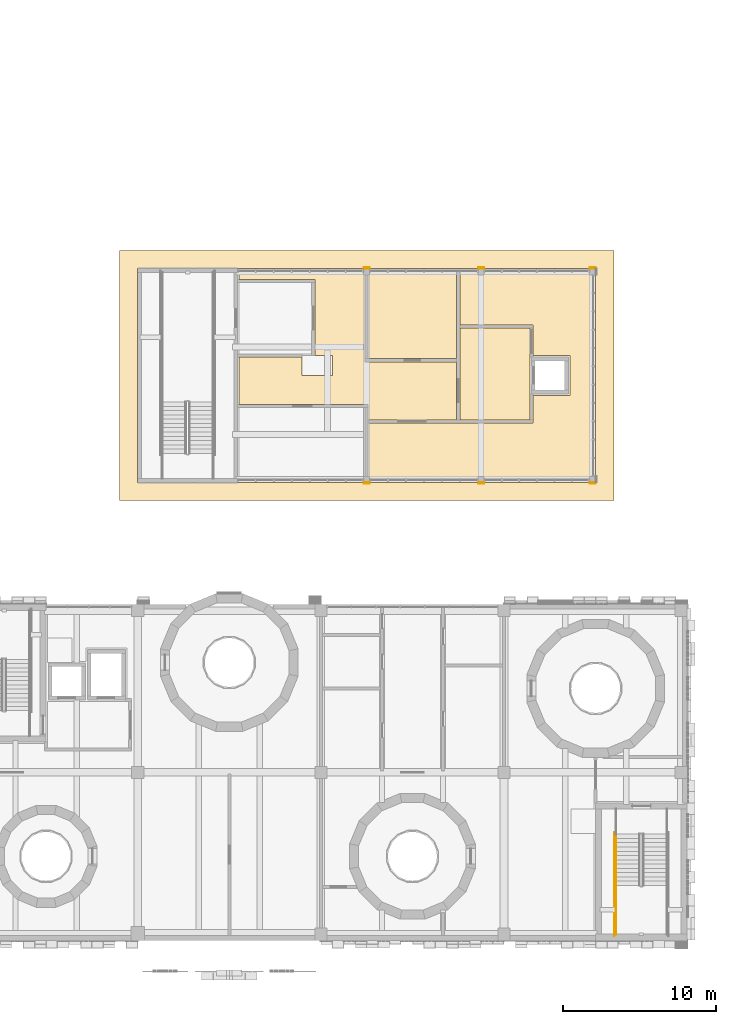
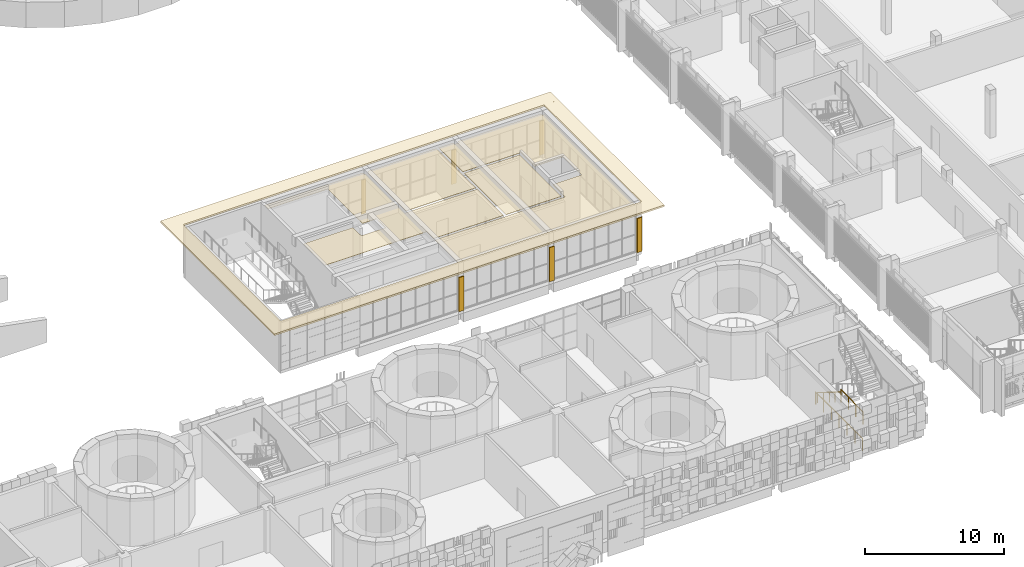
# One storey, part 72 of 92: 7 coverings, 3 railings.
"""IFC4 building model written with IfcOpenShell, lengths in metres."""

from ifc_helpers import new_model, si_unit, direction, frame, origin, origin_2d, place, context, subcontext, project, spatial, polyline, rectangle, circle, outline, extrude, material, layer, layer_set, type_object, element, save


model = new_model("IFC4")

# Units and contexts
model_context = context("Model", 3, precision=1e-05, world=origin(), true_north=direction((0.0, 1.0)))
body_context = subcontext(model_context, "Body", "Model", "MODEL_VIEW")
ifc_project = project(units=[si_unit("LENGTHUNIT", "METRE"), si_unit("AREAUNIT", "SQUARE_METRE"), si_unit("VOLUMEUNIT", "CUBIC_METRE"), si_unit("PLANEANGLEUNIT", "RADIAN"), si_unit("MASSUNIT", "GRAM", prefix="KILO")], contexts=[model_context])

# Site, building, storey
site_placement = place(None, origin())
site = spatial("IfcSite", under=ifc_project, at=site_placement, CompositionType="ELEMENT")
building_placement = place(site_placement, origin())
building = spatial("IfcBuilding", under=site, at=building_placement, Name="Sun Court Science Centre", CompositionType="ELEMENT")
storey_placement = place(building_placement, frame((0.0, 0.0, 11.25)))
storey = spatial("IfcBuildingStorey", under=building, at=storey_placement, Name="L02", CompositionType="ELEMENT", Elevation=11.25)

# Coverings
ifc_material_1 = material(Name="Gypsum board")
ifc_layer_1 = layer(ifc_material_1, 0.030029296875)
ifc_layer_set_1 = layer_set([ifc_layer_1], Name="Gypsum board")
covering_type_1 = type_object("IfcCoveringType", Name="Ceiling suspended 600 module", PredefinedType="CEILING", material=ifc_layer_set_1)
covering_1_placement = place(storey_placement, frame((0.0, 0.0, 3.77001953125)))
element("IfcCovering", 1, at=covering_1_placement, inside=storey, type_object=covering_type_1, Name="L02-074 ceiling", PredefinedType="CEILING", context=body_context, shape_type="SweptSolid", body=[
    extrude(outline(polyline([(46.75, 43.0), (48.75, 43.0), (48.75, 44.300048828125), (47.60009765625, 44.300048828125), (47.60009765625, 49.300048828125), (42.64990234375, 49.300048828125), (42.64990234375, 49.800048828125), (50.800048828125, 49.800048828125), (50.800048828125, 49.60009765625), (50.89990234375, 49.60009765625), (50.89990234375, 43.89990234375), (56.89990234375, 43.89990234375), (56.89990234375, 40.10009765625), (51.10009765625, 40.10009765625), (51.10009765625, 41.10009765625), (42.64990234375, 41.10009765625), (42.64990234375, 44.199951171875), (46.75, 44.199951171875), (46.75, 43.0)])), origin(), (0.0, 0.0, 1.0), 0.030029296875),
])
covering_2_placement = place(storey_placement, frame((0.0, 0.0, 3.77001953125)))
element("IfcCovering", 2, at=covering_2_placement, inside=storey, type_object=covering_type_1, Name="L02-075 ceiling", PredefinedType="CEILING", context=body_context, shape_type="SweptSolid", body=[
    extrude(outline(polyline([(56.89990234375, 49.800048828125), (56.89990234375, 44.10009765625), (51.10009765625, 44.10009765625), (51.10009765625, 49.60009765625), (51.199951171875, 49.60009765625), (51.199951171875, 49.800048828125), (56.89990234375, 49.800048828125)])), origin(), (0.0, 0.0, 1.0), 0.030029296875),
])
covering_3_placement = place(storey_placement, frame((0.0, 0.0, 3.77001953125)))
element("IfcCovering", 3, at=covering_3_placement, inside=storey, type_object=covering_type_1, Name="L02-076 ceiling", PredefinedType="CEILING", context=body_context, shape_type="SweptSolid", body=[
    extrude(outline(polyline([(57.10009765625, 40.10009765625), (57.10009765625, 46.10009765625), (61.68994140625, 46.10009765625), (61.68994140625, 44.3125), (61.6875, 44.3125), (61.6875, 41.6875), (61.68994140625, 41.6875), (61.68994140625, 40.10009765625), (57.10009765625, 40.10009765625)])), origin(), (0.0, 0.0, 1.0), 0.030029296875),
])
covering_4_placement = place(storey_placement, frame((0.0, 0.0, 3.77001953125)))
element("IfcCovering", 4, at=covering_4_placement, inside=storey, type_object=covering_type_1, Name="L02-077 ceiling", PredefinedType="CEILING", context=body_context, shape_type="SweptSolid", body=[
    extrude(outline(polyline([(51.10009765625, 36.39990234375), (51.10009765625, 39.89990234375), (61.889892578125, 39.89990234375), (61.889892578125, 41.6875), (64.3125, 41.6875), (64.3125, 44.3125), (61.889892578125, 44.3125), (61.889892578125, 46.300048828125), (57.10009765625, 46.300048828125), (57.10009765625, 49.800048828125), (58.300048828125, 49.800048828125), (58.300048828125, 49.60009765625), (58.699951171875, 49.60009765625), (58.699951171875, 49.800048828125), (65.60009765625, 49.800048828125), (65.60009765625, 49.60009765625), (65.800048828125, 49.60009765625), (65.800048828125, 36.39990234375), (65.60009765625, 36.39990234375), (65.60009765625, 36.199951171875), (58.699951171875, 36.199951171875), (58.699951171875, 36.39990234375), (58.300048828125, 36.39990234375), (58.300048828125, 36.199951171875), (51.199951171875, 36.199951171875), (51.199951171875, 36.39990234375), (51.10009765625, 36.39990234375)])), origin(), (0.0, 0.0, 1.0), 0.030029296875),
])

# Railings
ifc_material_2 = material(Name="Steel S275", Category="steel")
railing_type_1 = type_object("IfcRailingType", Name="Guard 1100 steel balustrade", PredefinedType="GUARDRAIL", material=ifc_material_2)
railing_1_placement = place(storey_placement, frame((67.326904296875, 9.592041015625, 2.25)))
element("IfcRailing", 5, at=railing_1_placement, inside=storey, type_object=railing_type_1, Name="L02 SB3 stair guard 3", PredefinedType="GUARDRAIL", context=body_context, shape_type="SweptSolid", body=[
    extrude(circle(Radius=0.02392578125, at=origin_2d()), frame((0.0, 0.0, 1.076171875), z_axis=(0.0, -1.0, 0.0), x_axis=(1.0, 0.0, 0.0)), (0.0, 0.0, 1.0), 3.192138671875),
    extrude(circle(Radius=0.02099609375, at=origin_2d()), origin(), (0.0, 0.0, 1.0), 1.052001953125),
    extrude(circle(Radius=0.02099609375, at=origin_2d()), frame((0.0, -1.06396484375, 0.0)), (0.0, 0.0, 1.0), 1.052001953125),
    extrude(circle(Radius=0.02099609375, at=origin_2d()), frame((0.0, -2.128173828125, 0.0)), (0.0, 0.0, 1.0), 1.052001953125),
    extrude(circle(Radius=0.02099609375, at=origin_2d()), frame((0.0, -3.192138671875, 0.0)), (0.0, 0.0, 1.0), 1.052001953125),
])
railing_2_placement = place(storey_placement, frame((67.22705078125, 13.052001953125, 0.0)))
element("IfcRailing", 6, at=railing_2_placement, inside=storey, type_object=railing_type_1, Name="L02 SB3 stair guard 9", PredefinedType="GUARDRAIL", context=body_context, shape_type="SweptSolid", body=[
    extrude(circle(Radius=0.02392578125, at=origin_2d()), frame((0.0, 0.0, 1.076171875), z_axis=(0.0, -1.0, 0.0), x_axis=(1.0, 0.0, 0.0)), (0.0, 0.0, 1.0), 6.751953125),
    extrude(circle(Radius=0.02099609375, at=origin_2d()), origin(), (0.0, 0.0, 1.0), 1.052001953125),
    extrude(circle(Radius=0.02099609375, at=origin_2d()), frame((0.0, -1.125244140625, 0.0)), (0.0, 0.0, 1.0), 1.052001953125),
    extrude(circle(Radius=0.02099609375, at=origin_2d()), frame((0.0, -2.250732421875, 0.0)), (0.0, 0.0, 1.0), 1.052001953125),
    extrude(circle(Radius=0.02099609375, at=origin_2d()), frame((0.0, -3.3759765625, 0.0)), (0.0, 0.0, 1.0), 1.052001953125),
    extrude(circle(Radius=0.02099609375, at=origin_2d()), frame((0.0, -4.501220703125, 0.0)), (0.0, 0.0, 1.0), 1.052001953125),
    extrude(circle(Radius=0.02099609375, at=origin_2d()), frame((0.0, -5.626708984375, 0.0)), (0.0, 0.0, 1.0), 1.052001953125),
    extrude(circle(Radius=0.02099609375, at=origin_2d()), frame((0.0, -6.751953125, 0.0)), (0.0, 0.0, 1.0), 1.052001953125),
])
ifc_material_3 = material(Name="Stainless steel", Category="steel")
railing_type_2 = type_object("IfcRailingType", Name="Handrail 900 stainless", PredefinedType="HANDRAIL", material=ifc_material_3)
railing_3_placement = place(storey_placement, frame((67.326904296875, 12.951904296875, 0.173095703125)))
element("IfcRailing", 7, at=railing_3_placement, inside=storey, type_object=railing_type_2, Name="L02 SB3 stair handrail 1", PredefinedType="HANDRAIL", context=body_context, shape_type="SweptSolid", body=[
    extrude(circle(Radius=0.02392578125, at=origin_2d()), frame((0.0, 0.0, 0.8759765625), z_axis=(0.0, -0.850606129759, 0.525803396734), x_axis=(1.0, 0.0, 0.0)), (0.0, 0.0, 1.0), 3.949951171875),
    extrude(circle(Radius=0.02099609375, at=origin_2d()), origin(), (0.0, 0.0, 1.0), 0.851806640625),
    extrude(circle(Radius=0.02099609375, at=origin_2d()), frame((0.0, -0.83984375, 0.519287109375)), (0.0, 0.0, 1.0), 0.851806640625),
    extrude(circle(Radius=0.02099609375, at=origin_2d()), frame((0.0, -1.679931640625, 1.03857421875)), (0.0, 0.0, 1.0), 0.851806640625),
    extrude(circle(Radius=0.02099609375, at=origin_2d()), frame((0.0, -2.52001953125, 1.5576171875)), (0.0, 0.0, 1.0), 0.851806640625),
    extrude(circle(Radius=0.02099609375, at=origin_2d()), frame((0.0, -3.35986328125, 2.076904296875)), (0.0, 0.0, 1.0), 0.851806640625),
])

# Coverings
ifc_material_4 = material(Name="Red sandstone", Category="masonry")
ifc_layer_2 = layer(ifc_material_4, 0.080078125)
ifc_layer_set_2 = layer_set([ifc_layer_2], Name="Red sandstone")
covering_type_2 = type_object("IfcCoveringType", Name="Red sandstone pier cladding", PredefinedType="CLADDING", material=ifc_layer_set_2)
covering_5_placement = place(storey_placement, frame((0.0, 0.0, -11.25)))
element("IfcCovering", 8, at=covering_5_placement, inside=storey, type_object=covering_type_2, Name="Red sandstone pier cladding south face L02", PredefinedType="CLADDING", context=body_context, shape_type="SweptSolid", body=[
    extrude(rectangle(XDim=0.39990234375, YDim=0.080078125, at=origin_2d()), frame((65.800048828125, 35.9599609375, 11.25), z_axis=(0.0, 0.0, 1.0), x_axis=(-1.0, 0.0, 0.0)), (0.0, 0.0, 1.0), 3.0),
    extrude(rectangle(XDim=0.39990234375, YDim=0.080078125, at=origin_2d()), frame((58.5, 35.9599609375, 11.25), z_axis=(0.0, 0.0, 1.0), x_axis=(-1.0, 0.0, 0.0)), (0.0, 0.0, 1.0), 3.0),
    extrude(rectangle(XDim=0.39990234375, YDim=0.080078125, at=origin_2d()), frame((51.0, 35.9599609375, 11.25), z_axis=(0.0, 0.0, 1.0), x_axis=(-1.0, 0.0, 0.0)), (0.0, 0.0, 1.0), 3.0),
])
covering_6_placement = place(storey_placement, frame((0.0, 0.0, -11.25)))
element("IfcCovering", 9, at=covering_6_placement, inside=storey, type_object=covering_type_2, Name="Red sandstone pier cladding north face L02", PredefinedType="CLADDING", context=body_context, shape_type="SweptSolid", body=[
    extrude(rectangle(XDim=0.39990234375, YDim=0.080078125, at=origin_2d()), frame((51.0, 50.0400390625, 11.25), z_axis=(0.0, 0.0, 1.0), x_axis=(1.0, 0.0, 0.0)), (0.0, 0.0, 1.0), 3.0),
    extrude(rectangle(XDim=0.39990234375, YDim=0.080078125, at=origin_2d()), frame((58.5, 50.0400390625, 11.25), z_axis=(0.0, 0.0, 1.0), x_axis=(1.0, 0.0, 0.0)), (0.0, 0.0, 1.0), 3.0),
    extrude(rectangle(XDim=0.39990234375, YDim=0.080078125, at=origin_2d()), frame((65.800048828125, 50.0400390625, 11.25), z_axis=(0.0, 0.0, 1.0), x_axis=(1.0, 0.0, 0.0)), (0.0, 0.0, 1.0), 3.0),
])
ifc_material_5 = material(Name="Red sandstone", Category="masonry")
ifc_layer_3 = layer(ifc_material_5, 0.14990234375)
ifc_layer_set_3 = layer_set([ifc_layer_3], Name="Red sandstone")
covering_type_3 = type_object("IfcCoveringType", Name="Sandstone chhajja eave 1200", PredefinedType="CLADDING", material=ifc_layer_set_3)
covering_7_placement = place(storey_placement, frame((0.0, 0.0, -11.25)))
element("IfcCovering", 10, at=covering_7_placement, inside=storey, type_object=covering_type_3, Name="Pavilion roof eave", PredefinedType="CLADDING", context=body_context, shape_type="SweptSolid", body=[
    extrude(rectangle(XDim=32.39990234375, YDim=1.199951171875, at=origin_2d()), frame((51.0, 35.39990234375, 15.420166015625), z_axis=(0.0, 0.0, 1.0), x_axis=(1.0, 0.0, 0.0)), (0.0, 0.0, 1.0), 0.14990234375),
    extrude(rectangle(XDim=32.39990234375, YDim=1.199951171875, at=origin_2d()), frame((51.0, 50.60009765625, 15.420166015625), z_axis=(0.0, 0.0, 1.0), x_axis=(1.0, 0.0, 0.0)), (0.0, 0.0, 1.0), 0.14990234375),
    extrude(rectangle(XDim=1.199951171875, YDim=14.0, at=origin_2d()), frame((35.39990234375, 43.0, 15.420166015625), z_axis=(0.0, 0.0, 1.0), x_axis=(1.0, 0.0, 0.0)), (0.0, 0.0, 1.0), 0.14990234375),
    extrude(rectangle(XDim=1.199951171875, YDim=14.0, at=origin_2d()), frame((66.60009765625, 43.0, 15.420166015625), z_axis=(0.0, 0.0, 1.0), x_axis=(1.0, 0.0, 0.0)), (0.0, 0.0, 1.0), 0.14990234375),
])

save(model, "model.ifc")
